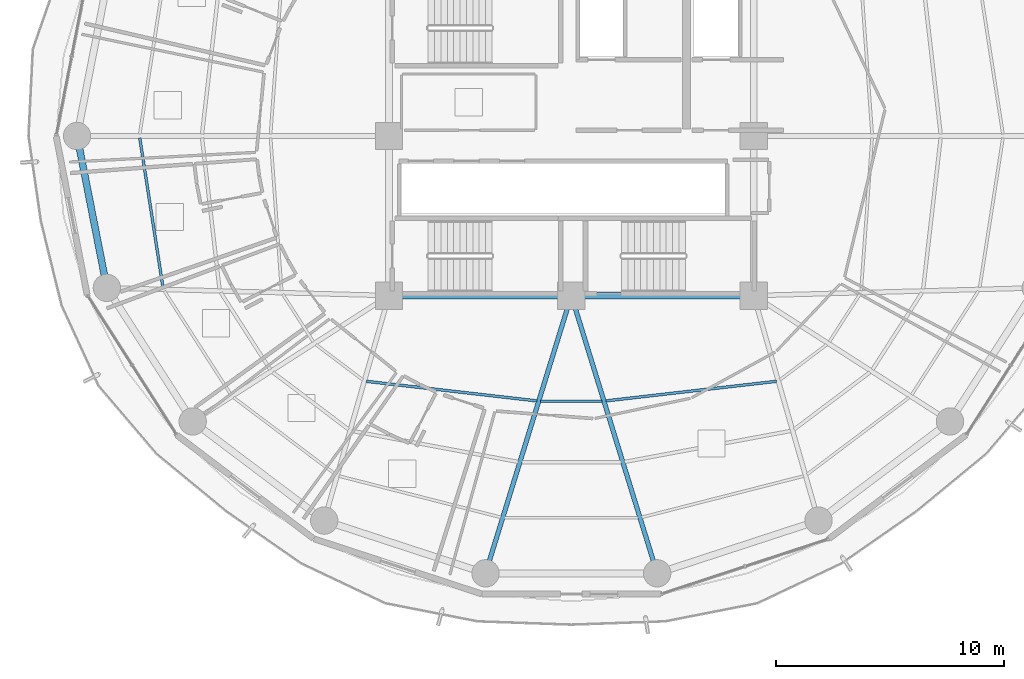
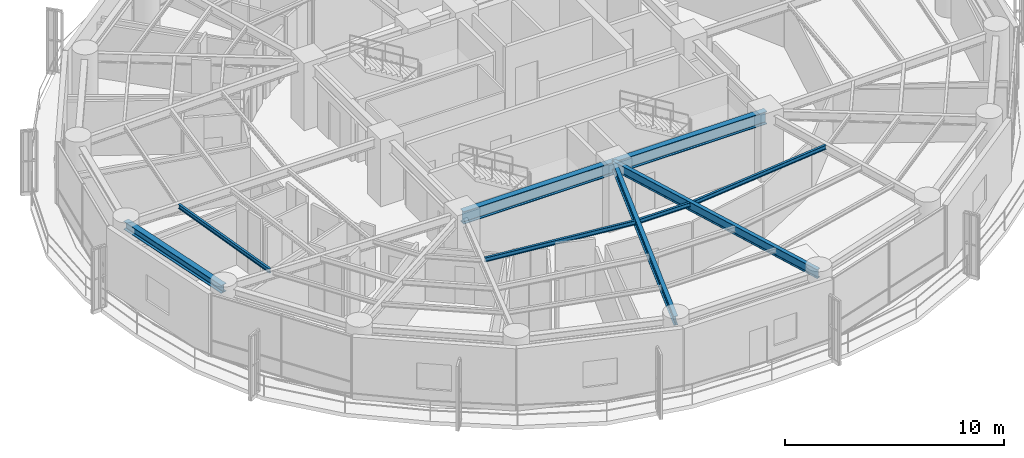
# One storey, part 5 of 27: 9 beams.
"""IFC4 building model written with IfcOpenShell, lengths in metres."""

from ifc_helpers import new_model, si_unit, direction, frame, origin, origin_2d, place, context, subcontext, project, spatial, i_section, extrude, material, material_profile, profile_set, type_object, element, save


model = new_model("IFC4")

# Units and contexts
model_context = context("Model", 3, precision=1e-05, world=origin(), true_north=direction((0.0, 1.0)))
body_context = subcontext(model_context, "Body", "Model", "MODEL_VIEW")
ifc_project = project(units=[si_unit("LENGTHUNIT", "METRE"), si_unit("AREAUNIT", "SQUARE_METRE"), si_unit("VOLUMEUNIT", "CUBIC_METRE"), si_unit("PLANEANGLEUNIT", "RADIAN"), si_unit("MASSUNIT", "GRAM", prefix="KILO")], contexts=[model_context])

# Site, building, storey
site_placement = place(None, origin())
site = spatial("IfcSite", under=ifc_project, at=site_placement, CompositionType="ELEMENT")
building_placement = place(site_placement, origin())
building = spatial("IfcBuilding", under=site, at=building_placement, Name="Kelanora Arch Commons", CompositionType="ELEMENT")
storey_placement = place(building_placement, frame((0.0, 0.0, 143.10009765625)))
storey = spatial("IfcBuildingStorey", under=building, at=storey_placement, Name="L36", CompositionType="ELEMENT", Elevation=143.10009765625)

# Beams
ifc_material = material(Name="Steel S355", Category="steel")
ifc_material_profile_1 = material_profile(ifc_material, i_section(OverallWidth=0.300048828125, OverallDepth=0.699951171875, WebThickness=0.01708984375, FlangeThickness=0.031982421875, FilletRadius=0.027099609375, at=origin_2d()), Name="HEB700")
ifc_profile_set_1 = profile_set([ifc_material_profile_1], Name="Steel S355")
beam_type_1 = type_object("IfcBeamType", Name="BM-CORE-HDR", PredefinedType="BEAM", material=ifc_profile_set_1)
for number, where, z_axis, x_axis, name in (
    (1, (66.0, 51.0, 3.139892578125), (1.0, 0.0, 0.0), (0.0, 1.0, 0.0), "Core Header Beam 01 L36"),
    (2, (74.0, 51.0, 3.139892578125), (1.0, 0.0, 0.0), (0.0, 1.0, 0.0), "Core Header Beam 02 L36"),
):
    element("IfcBeam", number, at=place(storey_placement, frame(where, z_axis=z_axis, x_axis=x_axis)), inside=storey, type_object=beam_type_1, Name=name, PredefinedType="BEAM", context=body_context, shape_type="SweptSolid", body=[
        extrude(i_section(OverallWidth=0.300048828125, OverallDepth=0.699951171875, WebThickness=0.01708984375, FlangeThickness=0.031982421875, FilletRadius=0.027099609375, at=origin_2d()), origin(), (0.0, 0.0, 1.0), 8.0),
    ])
ifc_material_profile_2 = material_profile(ifc_material, i_section(OverallWidth=0.1201171875, OverallDepth=0.239990234375, WebThickness=0.006103515625, FlangeThickness=0.009765625, FilletRadius=0.014892578125, at=origin_2d()), Name="IPE240")
ifc_profile_set_2 = profile_set([ifc_material_profile_2], Name="Steel S355")
beam_type_2 = type_object("IfcBeamType", Name="BM-JST-02", PredefinedType="JOIST", material=ifc_profile_set_2)
beam_1_placement = place(storey_placement, frame((55.069091796875, 57.916015625, 3.369873046875), z_axis=(0.153562625853, -0.988138917329, 0.0), x_axis=(0.988138917329, 0.153562625853, 0.0)))
element("IfcBeam", 3, at=beam_1_placement, inside=storey, type_object=beam_type_2, Name="Secondary Chord Joist BJC-18 L36", PredefinedType="JOIST", context=body_context, shape_type="SweptSolid", body=[
    extrude(i_section(OverallWidth=0.1201171875, OverallDepth=0.239990234375, WebThickness=0.006103515625, FlangeThickness=0.009765625, FilletRadius=0.014892578125, at=origin_2d()), origin(), (0.0, 0.0, 1.0), 6.640869140625),
])
beam_2_placement = place(storey_placement, frame((65.005126953125, 47.239501953125, 3.369873046875), z_axis=(0.993457414184, -0.114203179475, 0.0), x_axis=(0.114203179475, 0.993457414184, 0.0)))
element("IfcBeam", 4, at=beam_2_placement, inside=storey, type_object=beam_type_2, Name="Secondary Chord Joist BJA-24 L36", PredefinedType="JOIST", context=body_context, shape_type="SweptSolid", body=[
    extrude(i_section(OverallWidth=0.1201171875, OverallDepth=0.239990234375, WebThickness=0.006103515625, FlangeThickness=0.009765625, FilletRadius=0.014892578125, at=origin_2d()), origin(), (0.0, 0.0, 1.0), 7.529296875),
])
beam_3_placement = place(storey_placement, frame((72.654296875, 46.3701171875, 3.369873046875), z_axis=(1.0, 0.0, 0.0), x_axis=(0.0, 1.0, 0.0)))
element("IfcBeam", 5, at=beam_3_placement, inside=storey, type_object=beam_type_2, Name="Secondary Chord Joist BJA-26 L36", PredefinedType="JOIST", context=body_context, shape_type="SweptSolid", body=[
    extrude(i_section(OverallWidth=0.1201171875, OverallDepth=0.239990234375, WebThickness=0.006103515625, FlangeThickness=0.009765625, FilletRadius=0.014892578125, at=origin_2d()), origin(), (0.0, 0.0, 1.0), 2.69140625),
])
beam_4_placement = place(storey_placement, frame((75.514892578125, 46.379638671875, 3.369873046875), z_axis=(0.993457414184, 0.114203179475, 0.0), x_axis=(-0.114203179475, 0.993457414184, 0.0)))
element("IfcBeam", 6, at=beam_4_placement, inside=storey, type_object=beam_type_2, Name="Secondary Chord Joist BJA-28 L36", PredefinedType="JOIST", context=body_context, shape_type="SweptSolid", body=[
    extrude(i_section(OverallWidth=0.1201171875, OverallDepth=0.239990234375, WebThickness=0.006103515625, FlangeThickness=0.009765625, FilletRadius=0.014892578125, at=origin_2d()), origin(), (0.0, 0.0, 1.0), 7.529296875),
])
ifc_material_profile_3 = material_profile(ifc_material, i_section(OverallWidth=0.199951171875, OverallDepth=0.5, WebThickness=0.01025390625, FlangeThickness=0.01611328125, FilletRadius=0.02099609375, at=origin_2d()), Name="IPE500")
ifc_profile_set_3 = profile_set([ifc_material_profile_3], Name="Steel S355")
beam_type_3 = type_object("IfcBeamType", Name="BM-RAD-Z3", PredefinedType="BEAM", material=ifc_profile_set_3)
for number, where, z_axis, x_axis, name in (
    (7, (74.0, 51.0, 3.239990234375), (-0.295210315095, -0.955432294755, 0.0), (0.955432294755, -0.295210315095, 0.0), "Radial Floor Girder BR-26 L36"),
    (8, (74.0, 51.0, 3.239990234375), (0.295210315095, -0.955432294755, 0.0), (0.955432294755, 0.295210315095, 0.0), "Radial Floor Girder BR-28 L36"),
):
    element("IfcBeam", number, at=place(storey_placement, frame(where, z_axis=z_axis, x_axis=x_axis)), inside=storey, type_object=beam_type_3, Name=name, PredefinedType="BEAM", context=body_context, shape_type="SweptSolid", body=[
        extrude(i_section(OverallWidth=0.199951171875, OverallDepth=0.5, WebThickness=0.01025390625, FlangeThickness=0.01611328125, FilletRadius=0.02099609375, at=origin_2d()), origin(), (0.0, 0.0, 1.0), 12.75244140625),
    ])
ifc_material_profile_4 = material_profile(ifc_material, i_section(OverallWidth=0.300048828125, OverallDepth=0.449951171875, WebThickness=0.013916015625, FlangeThickness=0.02587890625, FilletRadius=0.027099609375, at=origin_2d()), Name="HEB450")
ifc_profile_set_4 = profile_set([ifc_material_profile_4], Name="Steel S355")
beam_type_4 = type_object("IfcBeamType", Name="BM-SPN-Z3", PredefinedType="SPANDREL", material=ifc_profile_set_4)
beam_5_placement = place(storey_placement, frame((52.320068359375, 58.0, 3.264892578125), z_axis=(0.192553643556, -0.981286448675, 0.0), x_axis=(0.981286448675, 0.192553643556, 0.0)))
element("IfcBeam", 9, at=beam_5_placement, inside=storey, type_object=beam_type_4, Name="Perimeter Spandrel Beam BS-18 L36", PredefinedType="SPANDREL", context=body_context, shape_type="SweptSolid", body=[
    extrude(i_section(OverallWidth=0.300048828125, OverallDepth=0.449951171875, WebThickness=0.013916015625, FlangeThickness=0.02587890625, FilletRadius=0.027099609375, at=origin_2d()), origin(), (0.0, 0.0, 1.0), 6.78955078125),
])

save(model, "model.ifc")
